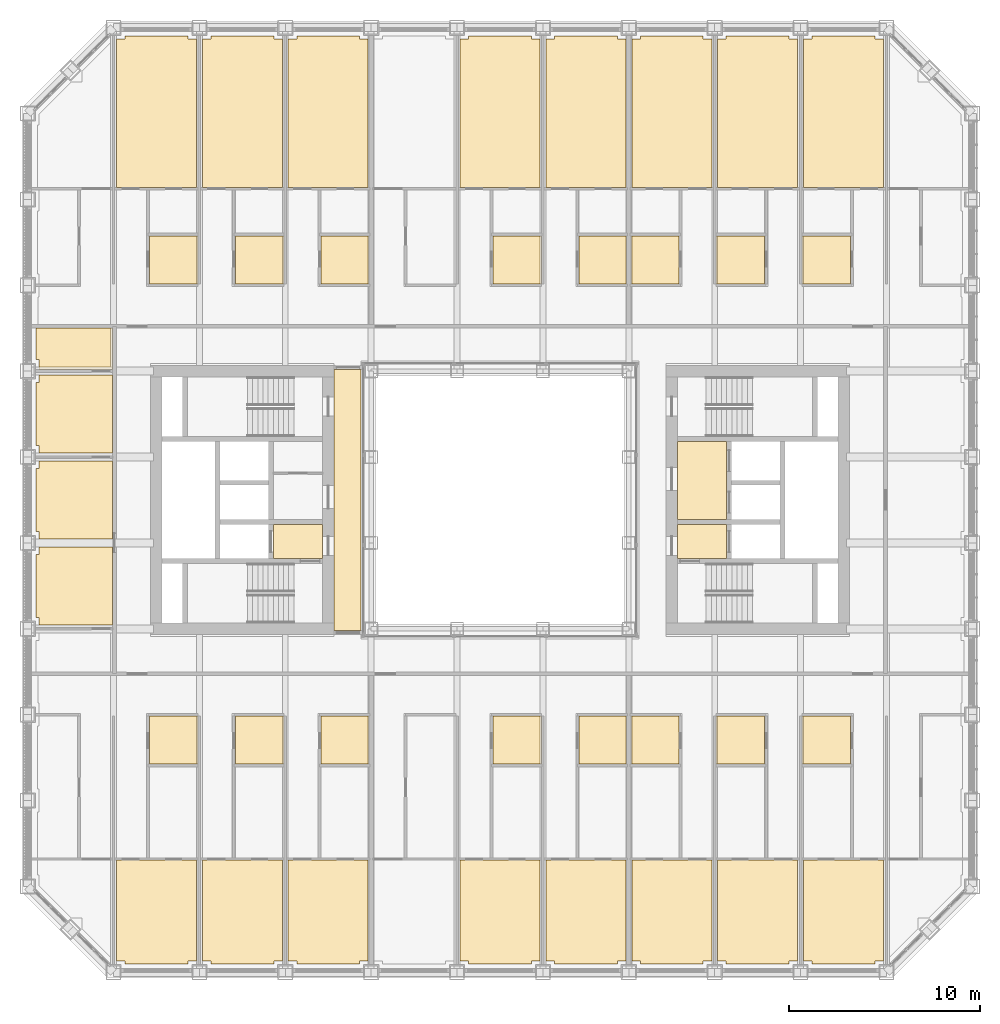
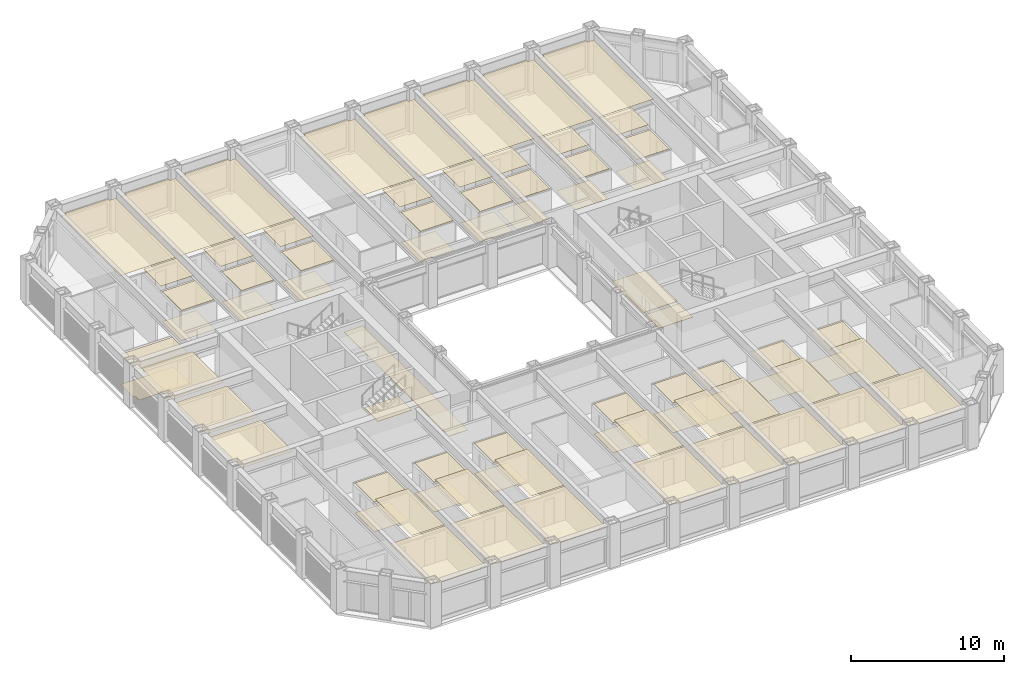
# One storey, part 19 of 21: 4 coverings.
"""IFC4 building model written with IfcOpenShell, lengths in metres."""

from ifc_helpers import new_model, si_unit, direction, frame, origin, place, context, subcontext, project, spatial, line, indexed_curve, outline, extrude, material, layer, layer_set, type_object, element, save


model = new_model("IFC4")

# Units and contexts
model_context = context("Model", 3, precision=1e-05, world=origin(), true_north=direction((0.0, 1.0)))
body_context = subcontext(model_context, "Body", "Model", "MODEL_VIEW")
ifc_project = project(units=[si_unit("LENGTHUNIT", "METRE"), si_unit("AREAUNIT", "SQUARE_METRE"), si_unit("VOLUMEUNIT", "CUBIC_METRE"), si_unit("PLANEANGLEUNIT", "RADIAN"), si_unit("MASSUNIT", "GRAM", prefix="KILO")], contexts=[model_context])

# Site, building, storey
site_placement = place(None, origin())
site = spatial("IfcSite", under=ifc_project, at=site_placement, CompositionType="ELEMENT")
building_placement = place(site_placement, origin())
building = spatial("IfcBuilding", under=site, at=building_placement, Name="Msasa Ring Tower", CompositionType="ELEMENT")
storey_placement = place(building_placement, frame((0.0, 0.0, 96.5)))
storey = spatial("IfcBuildingStorey", under=building, at=storey_placement, Name="L25", CompositionType="ELEMENT", Elevation=96.5)

# Coverings
ifc_material_1 = material(Name="Gypsum plasterboard on a steel suspension grid", Category="steel")
ifc_layer_1 = layer(ifc_material_1, 0.014892578125)
ifc_layer_set_1 = layer_set([ifc_layer_1], Name="C1 SUSPENDED PLASTERBOARD CEILING 15")
covering_type_1 = type_object("IfcCoveringType", Name="C1 SUSPENDED PLASTERBOARD CEILING 15", PredefinedType="CEILING", material=ifc_layer_set_1)
covering_1_placement = place(storey_placement, frame((0.0, 0.0, 2.699951171875)))
element("IfcCovering", 1, at=covering_1_placement, inside=storey, type_object=covering_type_1, Name="Suspended Plasterboard Ceiling 15 L25", PredefinedType="CEILING", context=body_context, shape_type="SweptSolid", body=[
    extrude(outline(indexed_curve([(-24.299560546875, -2.8505859375), (-24.1494140625, -2.8505859375), (-24.1494140625, -2.460693359375), (-20.300537109375, -2.460693359375), (-20.300537109375, -6.539306640625), (-24.1494140625, -6.539306640625), (-24.1494140625, -6.1494140625), (-24.299560546875, -6.1494140625)], segments=[line(1, 2, 3, 4, 5, 6, 7, 8, 1)], self_intersect=False)), origin(), (0.0, 0.0, 1.0), 0.01513671875),
    extrude(outline(indexed_curve([(-24.299560546875, 1.6494140625), (-24.1494140625, 1.6494140625), (-24.1494140625, 2.039306640625), (-20.300537109375, 2.039306640625), (-20.300537109375, -2.039306640625), (-24.1494140625, -2.039306640625), (-24.1494140625, -1.6494140625), (-24.299560546875, -1.6494140625)], segments=[line(1, 2, 3, 4, 5, 6, 7, 8, 1)], self_intersect=False)), origin(), (0.0, 0.0, 1.0), 0.01513671875),
    extrude(outline(indexed_curve([(-24.299560546875, 6.1494140625), (-24.1494140625, 6.1494140625), (-24.1494140625, 6.539306640625), (-20.300537109375, 6.539306640625), (-20.300537109375, 2.460693359375), (-24.1494140625, 2.460693359375), (-24.1494140625, 2.8505859375), (-24.299560546875, 2.8505859375)], segments=[line(1, 2, 3, 4, 5, 6, 7, 8, 1)], self_intersect=False)), origin(), (0.0, 0.0, 1.0), 0.01513671875),
    extrude(outline(indexed_curve([(-15.904296875, -18.867919921875), (-15.904296875, -24.1494140625), (-16.3505859375, -24.1494140625), (-16.3505859375, -24.299560546875), (-19.6494140625, -24.299560546875), (-19.6494140625, -24.1494140625), (-20.095703125, -24.1494140625), (-20.095703125, -18.867919921875)], segments=[line(1, 2, 3, 4, 5, 6, 7, 8, 1)], self_intersect=False)), origin(), (0.0, 0.0, 1.0), 0.01513671875),
    extrude(outline(indexed_curve([(-16.3505859375, 24.299560546875), (-16.3505859375, 24.1494140625), (-15.904296875, 24.1494140625), (-15.904296875, 16.367919921875), (-20.095703125, 16.367919921875), (-20.095703125, 24.1494140625), (-19.6494140625, 24.1494140625), (-19.6494140625, 24.299560546875)], segments=[line(1, 2, 3, 4, 5, 6, 7, 8, 1)], self_intersect=False)), origin(), (0.0, 0.0, 1.0), 0.01513671875),
    extrude(outline(indexed_curve([(-15.904296875, -13.992919921875), (-15.904296875, -18.757080078125), (-18.369384765625, -18.757080078125), (-18.369384765625, -13.992919921875)], segments=[line(1, 2, 3, 4, 1)], self_intersect=False)), origin(), (0.0, 0.0, 1.0), 0.01513671875),
    extrude(outline(indexed_curve([(-15.904296875, 16.257080078125), (-15.904296875, 13.992919921875), (-18.369384765625, 13.992919921875), (-18.369384765625, 16.257080078125)], segments=[line(1, 2, 3, 4, 1)], self_intersect=False)), origin(), (0.0, 0.0, 1.0), 0.01513671875),
    extrude(outline(indexed_curve([(-15.1494140625, -24.299560546875), (-15.1494140625, -24.1494140625), (-15.595703125, -24.1494140625), (-15.595703125, -18.867919921875), (-11.404296875, -18.867919921875), (-11.404296875, -24.1494140625), (-11.8505859375, -24.1494140625), (-11.8505859375, -24.299560546875)], segments=[line(1, 2, 3, 4, 5, 6, 7, 8, 1)], self_intersect=False)), origin(), (0.0, 0.0, 1.0), 0.01513671875),
    extrude(outline(indexed_curve([(-11.8505859375, 24.299560546875), (-11.8505859375, 24.1494140625), (-11.404296875, 24.1494140625), (-11.404296875, 16.367919921875), (-15.595703125, 16.367919921875), (-15.595703125, 24.1494140625), (-15.1494140625, 24.1494140625), (-15.1494140625, 24.299560546875)], segments=[line(1, 2, 3, 4, 5, 6, 7, 8, 1)], self_intersect=False)), origin(), (0.0, 0.0, 1.0), 0.01513671875),
    extrude(outline(indexed_curve([(-11.404296875, -13.992919921875), (-11.404296875, -18.757080078125), (-13.869384765625, -18.757080078125), (-13.869384765625, -13.992919921875)], segments=[line(1, 2, 3, 4, 1)], self_intersect=False)), origin(), (0.0, 0.0, 1.0), 0.01513671875),
    extrude(outline(indexed_curve([(-11.404296875, 16.257080078125), (-11.404296875, 13.992919921875), (-13.869384765625, 13.992919921875), (-13.869384765625, 16.257080078125)], segments=[line(1, 2, 3, 4, 1)], self_intersect=False)), origin(), (0.0, 0.0, 1.0), 0.01513671875),
    extrude(outline(indexed_curve([(-10.6494140625, -24.299560546875), (-10.6494140625, -24.1494140625), (-11.095703125, -24.1494140625), (-11.095703125, -18.867919921875), (-6.904296875, -18.867919921875), (-6.904296875, -24.1494140625), (-7.3505859375, -24.1494140625), (-7.3505859375, -24.299560546875)], segments=[line(1, 2, 3, 4, 5, 6, 7, 8, 1)], self_intersect=False)), origin(), (0.0, 0.0, 1.0), 0.01513671875),
    extrude(outline(indexed_curve([(-7.3505859375, 24.299560546875), (-7.3505859375, 24.1494140625), (-6.904296875, 24.1494140625), (-6.904296875, 16.367919921875), (-11.095703125, 16.367919921875), (-11.095703125, 24.1494140625), (-10.6494140625, 24.1494140625), (-10.6494140625, 24.299560546875)], segments=[line(1, 2, 3, 4, 5, 6, 7, 8, 1)], self_intersect=False)), origin(), (0.0, 0.0, 1.0), 0.01513671875),
    extrude(outline(indexed_curve([(-6.904296875, -13.992919921875), (-6.904296875, -18.757080078125), (-9.369384765625, -18.757080078125), (-9.369384765625, -13.992919921875)], segments=[line(1, 2, 3, 4, 1)], self_intersect=False)), origin(), (0.0, 0.0, 1.0), 0.01513671875),
    extrude(outline(indexed_curve([(-6.904296875, 16.257080078125), (-6.904296875, 13.992919921875), (-9.369384765625, 13.992919921875), (-9.369384765625, 16.257080078125)], segments=[line(1, 2, 3, 4, 1)], self_intersect=False)), origin(), (0.0, 0.0, 1.0), 0.01513671875),
    extrude(outline(indexed_curve([(-1.6494140625, -24.299560546875), (-1.6494140625, -24.1494140625), (-2.095703125, -24.1494140625), (-2.095703125, -18.867919921875), (2.095703125, -18.867919921875), (2.095703125, -24.1494140625), (1.6494140625, -24.1494140625), (1.6494140625, -24.299560546875)], segments=[line(1, 2, 3, 4, 5, 6, 7, 8, 1)], self_intersect=False)), origin(), (0.0, 0.0, 1.0), 0.01513671875),
    extrude(outline(indexed_curve([(1.6494140625, 24.299560546875), (1.6494140625, 24.1494140625), (2.095703125, 24.1494140625), (2.095703125, 16.367919921875), (-2.095703125, 16.367919921875), (-2.095703125, 24.1494140625), (-1.6494140625, 24.1494140625), (-1.6494140625, 24.299560546875)], segments=[line(1, 2, 3, 4, 5, 6, 7, 8, 1)], self_intersect=False)), origin(), (0.0, 0.0, 1.0), 0.01513671875),
    extrude(outline(indexed_curve([(2.095703125, -13.992919921875), (2.095703125, -18.757080078125), (-0.369384765625, -18.757080078125), (-0.369384765625, -13.992919921875)], segments=[line(1, 2, 3, 4, 1)], self_intersect=False)), origin(), (0.0, 0.0, 1.0), 0.01513671875),
    extrude(outline(indexed_curve([(2.095703125, 16.257080078125), (2.095703125, 13.992919921875), (-0.369384765625, 13.992919921875), (-0.369384765625, 16.257080078125)], segments=[line(1, 2, 3, 4, 1)], self_intersect=False)), origin(), (0.0, 0.0, 1.0), 0.01513671875),
    extrude(outline(indexed_curve([(2.8505859375, -24.299560546875), (2.8505859375, -24.1494140625), (2.404296875, -24.1494140625), (2.404296875, -18.867919921875), (6.595703125, -18.867919921875), (6.595703125, -24.1494140625), (6.1494140625, -24.1494140625), (6.1494140625, -24.299560546875)], segments=[line(1, 2, 3, 4, 5, 6, 7, 8, 1)], self_intersect=False)), origin(), (0.0, 0.0, 1.0), 0.01513671875),
    extrude(outline(indexed_curve([(6.1494140625, 24.299560546875), (6.1494140625, 24.1494140625), (6.595703125, 24.1494140625), (6.595703125, 16.367919921875), (2.404296875, 16.367919921875), (2.404296875, 24.1494140625), (2.8505859375, 24.1494140625), (2.8505859375, 24.299560546875)], segments=[line(1, 2, 3, 4, 5, 6, 7, 8, 1)], self_intersect=False)), origin(), (0.0, 0.0, 1.0), 0.01513671875),
    extrude(outline(indexed_curve([(6.595703125, -13.992919921875), (6.595703125, -18.757080078125), (4.130615234375, -18.757080078125), (4.130615234375, -13.992919921875)], segments=[line(1, 2, 3, 4, 1)], self_intersect=False)), origin(), (0.0, 0.0, 1.0), 0.01513671875),
    extrude(outline(indexed_curve([(6.595703125, 16.257080078125), (6.595703125, 13.992919921875), (4.130615234375, 13.992919921875), (4.130615234375, 16.257080078125)], segments=[line(1, 2, 3, 4, 1)], self_intersect=False)), origin(), (0.0, 0.0, 1.0), 0.01513671875),
    extrude(outline(indexed_curve([(7.3505859375, -24.299560546875), (7.3505859375, -24.1494140625), (6.904296875, -24.1494140625), (6.904296875, -18.867919921875), (11.095703125, -18.867919921875), (11.095703125, -24.1494140625), (10.6494140625, -24.1494140625), (10.6494140625, -24.299560546875)], segments=[line(1, 2, 3, 4, 5, 6, 7, 8, 1)], self_intersect=False)), origin(), (0.0, 0.0, 1.0), 0.01513671875),
    extrude(outline(indexed_curve([(9.369384765625, -13.992919921875), (9.369384765625, -18.757080078125), (6.904296875, -18.757080078125), (6.904296875, -13.992919921875)], segments=[line(1, 2, 3, 4, 1)], self_intersect=False)), origin(), (0.0, 0.0, 1.0), 0.01513671875),
    extrude(outline(indexed_curve([(9.369384765625, 16.257080078125), (9.369384765625, 13.992919921875), (6.904296875, 13.992919921875), (6.904296875, 16.257080078125)], segments=[line(1, 2, 3, 4, 1)], self_intersect=False)), origin(), (0.0, 0.0, 1.0), 0.01513671875),
    extrude(outline(indexed_curve([(10.6494140625, 24.299560546875), (10.6494140625, 24.1494140625), (11.095703125, 24.1494140625), (11.095703125, 16.367919921875), (6.904296875, 16.367919921875), (6.904296875, 24.1494140625), (7.3505859375, 24.1494140625), (7.3505859375, 24.299560546875)], segments=[line(1, 2, 3, 4, 5, 6, 7, 8, 1)], self_intersect=False)), origin(), (0.0, 0.0, 1.0), 0.01513671875),
    extrude(outline(indexed_curve([(11.8505859375, -24.299560546875), (11.8505859375, -24.1494140625), (11.404296875, -24.1494140625), (11.404296875, -18.867919921875), (15.595703125, -18.867919921875), (15.595703125, -24.1494140625), (15.1494140625, -24.1494140625), (15.1494140625, -24.299560546875)], segments=[line(1, 2, 3, 4, 5, 6, 7, 8, 1)], self_intersect=False)), origin(), (0.0, 0.0, 1.0), 0.01513671875),
    extrude(outline(indexed_curve([(13.869384765625, -13.992919921875), (13.869384765625, -18.757080078125), (11.404296875, -18.757080078125), (11.404296875, -13.992919921875)], segments=[line(1, 2, 3, 4, 1)], self_intersect=False)), origin(), (0.0, 0.0, 1.0), 0.01513671875),
    extrude(outline(indexed_curve([(13.869384765625, 16.257080078125), (13.869384765625, 13.992919921875), (11.404296875, 13.992919921875), (11.404296875, 16.257080078125)], segments=[line(1, 2, 3, 4, 1)], self_intersect=False)), origin(), (0.0, 0.0, 1.0), 0.01513671875),
    extrude(outline(indexed_curve([(15.1494140625, 24.299560546875), (15.1494140625, 24.1494140625), (15.595703125, 24.1494140625), (15.595703125, 16.367919921875), (11.404296875, 16.367919921875), (11.404296875, 24.1494140625), (11.8505859375, 24.1494140625), (11.8505859375, 24.299560546875)], segments=[line(1, 2, 3, 4, 5, 6, 7, 8, 1)], self_intersect=False)), origin(), (0.0, 0.0, 1.0), 0.01513671875),
    extrude(outline(indexed_curve([(20.095703125, -18.867919921875), (20.095703125, -24.1494140625), (19.6494140625, -24.1494140625), (19.6494140625, -24.299560546875), (16.3505859375, -24.299560546875), (16.3505859375, -24.1494140625), (15.904296875, -24.1494140625), (15.904296875, -18.867919921875)], segments=[line(1, 2, 3, 4, 5, 6, 7, 8, 1)], self_intersect=False)), origin(), (0.0, 0.0, 1.0), 0.01513671875),
    extrude(outline(indexed_curve([(18.369384765625, -13.992919921875), (18.369384765625, -18.757080078125), (15.904296875, -18.757080078125), (15.904296875, -13.992919921875)], segments=[line(1, 2, 3, 4, 1)], self_intersect=False)), origin(), (0.0, 0.0, 1.0), 0.01513671875),
    extrude(outline(indexed_curve([(18.369384765625, 16.257080078125), (18.369384765625, 13.992919921875), (15.904296875, 13.992919921875), (15.904296875, 16.257080078125)], segments=[line(1, 2, 3, 4, 1)], self_intersect=False)), origin(), (0.0, 0.0, 1.0), 0.01513671875),
    extrude(outline(indexed_curve([(19.6494140625, 24.299560546875), (19.6494140625, 24.1494140625), (20.095703125, 24.1494140625), (20.095703125, 16.367919921875), (15.904296875, 16.367919921875), (15.904296875, 24.1494140625), (16.3505859375, 24.1494140625), (16.3505859375, 24.299560546875)], segments=[line(1, 2, 3, 4, 5, 6, 7, 8, 1)], self_intersect=False)), origin(), (0.0, 0.0, 1.0), 0.01513671875),
])
ifc_material_2 = material(Name="Moisture-resistant gypsum plasterboard on a steel suspension grid", Category="steel")
ifc_layer_2 = layer(ifc_material_2, 0.014892578125)
ifc_layer_set_2 = layer_set([ifc_layer_2], Name="C2 MOISTURE-RESISTANT PLASTERBOARD CEILING 15")
covering_type_2 = type_object("IfcCoveringType", Name="C2 MOISTURE-RESISTANT PLASTERBOARD CEILING 15", PredefinedType="CEILING", material=ifc_layer_set_2)
covering_2_placement = place(storey_placement, frame((0.0, 0.0, 2.39990234375)))
element("IfcCovering", 2, at=covering_2_placement, inside=storey, type_object=covering_type_2, Name="Moisture-Resistant Plasterboard Ceiling 15 L25", PredefinedType="CEILING", context=body_context, shape_type="SweptSolid", body=[
    extrude(outline(indexed_curve([(-24.299560546875, 8.99951171875), (-20.404296875, 8.99951171875), (-20.404296875, 6.960693359375), (-24.1494140625, 6.960693359375), (-24.1494140625, 7.3505859375), (-24.299560546875, 7.3505859375)], segments=[line(1, 2, 3, 4, 5, 6, 1)], self_intersect=False)), origin(), (0.0, 0.0, 1.0), 0.01513671875),
    extrude(outline(indexed_curve([(-18.369384765625, -11.318115234375), (-15.904296875, -11.318115234375), (-15.904296875, -13.83203125), (-18.369384765625, -13.83203125)], segments=[line(1, 2, 3, 4, 1)], self_intersect=False)), origin(), (0.0, 0.0, 1.0), 0.01513671875),
    extrude(outline(indexed_curve([(-18.369384765625, 13.83203125), (-15.904296875, 13.83203125), (-15.904296875, 11.318115234375), (-18.369384765625, 11.318115234375)], segments=[line(1, 2, 3, 4, 1)], self_intersect=False)), origin(), (0.0, 0.0, 1.0), 0.01513671875),
    extrude(outline(indexed_curve([(-13.869384765625, -11.318115234375), (-11.404296875, -11.318115234375), (-11.404296875, -13.83203125), (-13.869384765625, -13.83203125)], segments=[line(1, 2, 3, 4, 1)], self_intersect=False)), origin(), (0.0, 0.0, 1.0), 0.01513671875),
    extrude(outline(indexed_curve([(-13.869384765625, 13.83203125), (-11.404296875, 13.83203125), (-11.404296875, 11.318115234375), (-13.869384765625, 11.318115234375)], segments=[line(1, 2, 3, 4, 1)], self_intersect=False)), origin(), (0.0, 0.0, 1.0), 0.01513671875),
    extrude(outline(indexed_curve([(-9.369384765625, -11.318115234375), (-6.904296875, -11.318115234375), (-6.904296875, -13.83203125), (-9.369384765625, -13.83203125)], segments=[line(1, 2, 3, 4, 1)], self_intersect=False)), origin(), (0.0, 0.0, 1.0), 0.01513671875),
    extrude(outline(indexed_curve([(-9.369384765625, 13.83203125), (-6.904296875, 13.83203125), (-6.904296875, 11.318115234375), (-9.369384765625, 11.318115234375)], segments=[line(1, 2, 3, 4, 1)], self_intersect=False)), origin(), (0.0, 0.0, 1.0), 0.01513671875),
    extrude(outline(indexed_curve([(-0.369384765625, -11.318115234375), (2.095703125, -11.318115234375), (2.095703125, -13.83203125), (-0.369384765625, -13.83203125)], segments=[line(1, 2, 3, 4, 1)], self_intersect=False)), origin(), (0.0, 0.0, 1.0), 0.01513671875),
    extrude(outline(indexed_curve([(-0.369384765625, 13.83203125), (2.095703125, 13.83203125), (2.095703125, 11.318115234375), (-0.369384765625, 11.318115234375)], segments=[line(1, 2, 3, 4, 1)], self_intersect=False)), origin(), (0.0, 0.0, 1.0), 0.01513671875),
    extrude(outline(indexed_curve([(4.130615234375, -11.318115234375), (6.595703125, -11.318115234375), (6.595703125, -13.83203125), (4.130615234375, -13.83203125)], segments=[line(1, 2, 3, 4, 1)], self_intersect=False)), origin(), (0.0, 0.0, 1.0), 0.01513671875),
    extrude(outline(indexed_curve([(4.130615234375, 13.83203125), (6.595703125, 13.83203125), (6.595703125, 11.318115234375), (4.130615234375, 11.318115234375)], segments=[line(1, 2, 3, 4, 1)], self_intersect=False)), origin(), (0.0, 0.0, 1.0), 0.01513671875),
    extrude(outline(indexed_curve([(9.369384765625, -11.318115234375), (9.369384765625, -13.83203125), (6.904296875, -13.83203125), (6.904296875, -11.318115234375)], segments=[line(1, 2, 3, 4, 1)], self_intersect=False)), origin(), (0.0, 0.0, 1.0), 0.01513671875),
    extrude(outline(indexed_curve([(9.369384765625, 13.83203125), (9.369384765625, 11.318115234375), (6.904296875, 11.318115234375), (6.904296875, 13.83203125)], segments=[line(1, 2, 3, 4, 1)], self_intersect=False)), origin(), (0.0, 0.0, 1.0), 0.01513671875),
    extrude(outline(indexed_curve([(13.869384765625, -11.318115234375), (13.869384765625, -13.83203125), (11.404296875, -13.83203125), (11.404296875, -11.318115234375)], segments=[line(1, 2, 3, 4, 1)], self_intersect=False)), origin(), (0.0, 0.0, 1.0), 0.01513671875),
    extrude(outline(indexed_curve([(13.869384765625, 13.83203125), (13.869384765625, 11.318115234375), (11.404296875, 11.318115234375), (11.404296875, 13.83203125)], segments=[line(1, 2, 3, 4, 1)], self_intersect=False)), origin(), (0.0, 0.0, 1.0), 0.01513671875),
    extrude(outline(indexed_curve([(18.369384765625, -11.318115234375), (18.369384765625, -13.83203125), (15.904296875, -13.83203125), (15.904296875, -11.318115234375)], segments=[line(1, 2, 3, 4, 1)], self_intersect=False)), origin(), (0.0, 0.0, 1.0), 0.01513671875),
    extrude(outline(indexed_curve([(18.369384765625, 13.83203125), (18.369384765625, 11.318115234375), (15.904296875, 11.318115234375), (15.904296875, 13.83203125)], segments=[line(1, 2, 3, 4, 1)], self_intersect=False)), origin(), (0.0, 0.0, 1.0), 0.01513671875),
])
ifc_material_3 = material(Name="Honed granite tiles on a mortar bed", Category="masonry")
ifc_layer_3 = layer(ifc_material_3, 0.030029296875)
ifc_layer_set_3 = layer_set([ifc_layer_3], Name="F1 HONED GRANITE ON BEDDING 30")
covering_type_3 = type_object("IfcCoveringType", Name="F1 HONED GRANITE ON BEDDING 30", PredefinedType="FLOORING", material=ifc_layer_set_3)
covering_3_placement = place(storey_placement, origin())
element("IfcCovering", 3, at=covering_3_placement, inside=storey, type_object=covering_type_3, Name="Honed Granite On Bedding 30 L25", PredefinedType="FLOORING", context=body_context, shape_type="SweptSolid", body=[
    extrude(outline(indexed_curve([(-11.87451171875, -3.074462890625), (-11.87451171875, -1.275390625), (-9.300537109375, -1.275390625), (-9.300537109375, -3.074462890625)], segments=[line(1, 2, 3, 4, 1)], self_intersect=False)), origin(), (0.0, 0.0, 1.0), 0.030029296875),
    extrude(outline(indexed_curve([(-8.699462890625, -6.849609375), (-8.699462890625, 6.849609375), (-7.280029296875, 6.849609375), (-7.280029296875, -6.849609375)], segments=[line(1, 2, 3, 4, 1)], self_intersect=False)), origin(), (0.0, 0.0, 1.0), 0.030029296875),
    extrude(outline(indexed_curve([(9.300537109375, -3.074462890625), (9.300537109375, -1.275390625), (11.87451171875, -1.275390625), (11.87451171875, -3.074462890625)], segments=[line(1, 2, 3, 4, 1)], self_intersect=False)), origin(), (0.0, 0.0, 1.0), 0.030029296875),
    extrude(outline(indexed_curve([(9.300537109375, -1.0244140625), (9.300537109375, 3.074462890625), (11.87451171875, 3.074462890625), (11.87451171875, -1.0244140625)], segments=[line(1, 2, 3, 4, 1)], self_intersect=False)), origin(), (0.0, 0.0, 1.0), 0.030029296875),
])
ifc_material_4 = material(Name="Porcelain floor tiles in adhesive", Category="ceramic")
ifc_layer_4 = layer(ifc_material_4, 0.010009765625)
ifc_layer_set_4 = layer_set([ifc_layer_4], Name="F4 PORCELAIN TILE ON ADHESIVE 10")
covering_type_4 = type_object("IfcCoveringType", Name="F4 PORCELAIN TILE ON ADHESIVE 10", PredefinedType="FLOORING", material=ifc_layer_set_4)
covering_4_placement = place(storey_placement, origin())
element("IfcCovering", 4, at=covering_4_placement, inside=storey, type_object=covering_type_4, Name="Porcelain Tile On Adhesive 10 L25", PredefinedType="FLOORING", context=body_context, shape_type="SweptSolid", body=[
    extrude(outline(indexed_curve([(-24.1494140625, 6.83056640625), (-24.1494140625, 7.3505859375), (-24.299560546875, 7.3505859375), (-24.299560546875, 8.99951171875), (-20.300537109375, 8.99951171875), (-20.300537109375, 6.83056640625)], segments=[line(1, 2, 3, 4, 5, 6, 1)], self_intersect=False)), origin(), (0.0, 0.0, 1.0), 0.010009765625),
    extrude(outline(indexed_curve([(-15.818115234375, -11.318115234375), (-15.818115234375, -13.83203125), (-18.369384765625, -13.83203125), (-18.369384765625, -11.318115234375)], segments=[line(1, 2, 3, 4, 1)], self_intersect=False)), origin(), (0.0, 0.0, 1.0), 0.010009765625),
    extrude(outline(indexed_curve([(-15.818115234375, 13.83203125), (-15.818115234375, 11.318115234375), (-18.369384765625, 11.318115234375), (-18.369384765625, 13.83203125)], segments=[line(1, 2, 3, 4, 1)], self_intersect=False)), origin(), (0.0, 0.0, 1.0), 0.010009765625),
    extrude(outline(indexed_curve([(-11.318115234375, -11.318115234375), (-11.318115234375, -13.83203125), (-13.869384765625, -13.83203125), (-13.869384765625, -11.318115234375)], segments=[line(1, 2, 3, 4, 1)], self_intersect=False)), origin(), (0.0, 0.0, 1.0), 0.010009765625),
    extrude(outline(indexed_curve([(-11.318115234375, 13.83203125), (-11.318115234375, 11.318115234375), (-13.869384765625, 11.318115234375), (-13.869384765625, 13.83203125)], segments=[line(1, 2, 3, 4, 1)], self_intersect=False)), origin(), (0.0, 0.0, 1.0), 0.010009765625),
    extrude(outline(indexed_curve([(-6.87548828125, -11.318115234375), (-6.87548828125, -13.83203125), (-9.369384765625, -13.83203125), (-9.369384765625, -11.318115234375)], segments=[line(1, 2, 3, 4, 1)], self_intersect=False)), origin(), (0.0, 0.0, 1.0), 0.010009765625),
    extrude(outline(indexed_curve([(-6.87548828125, 13.83203125), (-6.87548828125, 11.318115234375), (-9.369384765625, 11.318115234375), (-9.369384765625, 13.83203125)], segments=[line(1, 2, 3, 4, 1)], self_intersect=False)), origin(), (0.0, 0.0, 1.0), 0.010009765625),
    extrude(outline(indexed_curve([(2.181884765625, -11.318115234375), (2.181884765625, -13.83203125), (-0.369384765625, -13.83203125), (-0.369384765625, -11.318115234375)], segments=[line(1, 2, 3, 4, 1)], self_intersect=False)), origin(), (0.0, 0.0, 1.0), 0.010009765625),
    extrude(outline(indexed_curve([(2.181884765625, 13.83203125), (2.181884765625, 11.318115234375), (-0.369384765625, 11.318115234375), (-0.369384765625, 13.83203125)], segments=[line(1, 2, 3, 4, 1)], self_intersect=False)), origin(), (0.0, 0.0, 1.0), 0.010009765625),
    extrude(outline(indexed_curve([(6.62451171875, -11.318115234375), (6.62451171875, -13.83203125), (4.130615234375, -13.83203125), (4.130615234375, -11.318115234375)], segments=[line(1, 2, 3, 4, 1)], self_intersect=False)), origin(), (0.0, 0.0, 1.0), 0.010009765625),
    extrude(outline(indexed_curve([(6.62451171875, 13.83203125), (6.62451171875, 11.318115234375), (4.130615234375, 11.318115234375), (4.130615234375, 13.83203125)], segments=[line(1, 2, 3, 4, 1)], self_intersect=False)), origin(), (0.0, 0.0, 1.0), 0.010009765625),
    extrude(outline(indexed_curve([(9.369384765625, -11.318115234375), (9.369384765625, -13.83203125), (6.87548828125, -13.83203125), (6.87548828125, -11.318115234375)], segments=[line(1, 2, 3, 4, 1)], self_intersect=False)), origin(), (0.0, 0.0, 1.0), 0.010009765625),
    extrude(outline(indexed_curve([(9.369384765625, 13.83203125), (9.369384765625, 11.318115234375), (6.87548828125, 11.318115234375), (6.87548828125, 13.83203125)], segments=[line(1, 2, 3, 4, 1)], self_intersect=False)), origin(), (0.0, 0.0, 1.0), 0.010009765625),
    extrude(outline(indexed_curve([(13.869384765625, -11.318115234375), (13.869384765625, -13.83203125), (11.318115234375, -13.83203125), (11.318115234375, -11.318115234375)], segments=[line(1, 2, 3, 4, 1)], self_intersect=False)), origin(), (0.0, 0.0, 1.0), 0.010009765625),
    extrude(outline(indexed_curve([(13.869384765625, 11.318115234375), (11.318115234375, 11.318115234375), (11.318115234375, 13.83203125), (13.869384765625, 13.83203125)], segments=[line(1, 2, 3, 4, 1)], self_intersect=False)), origin(), (0.0, 0.0, 1.0), 0.010009765625),
    extrude(outline(indexed_curve([(18.369384765625, -11.318115234375), (18.369384765625, -13.83203125), (15.818115234375, -13.83203125), (15.818115234375, -11.318115234375)], segments=[line(1, 2, 3, 4, 1)], self_intersect=False)), origin(), (0.0, 0.0, 1.0), 0.010009765625),
    extrude(outline(indexed_curve([(18.369384765625, 11.318115234375), (15.818115234375, 11.318115234375), (15.818115234375, 13.83203125), (18.369384765625, 13.83203125)], segments=[line(1, 2, 3, 4, 1)], self_intersect=False)), origin(), (0.0, 0.0, 1.0), 0.010009765625),
])

save(model, "model.ifc")
